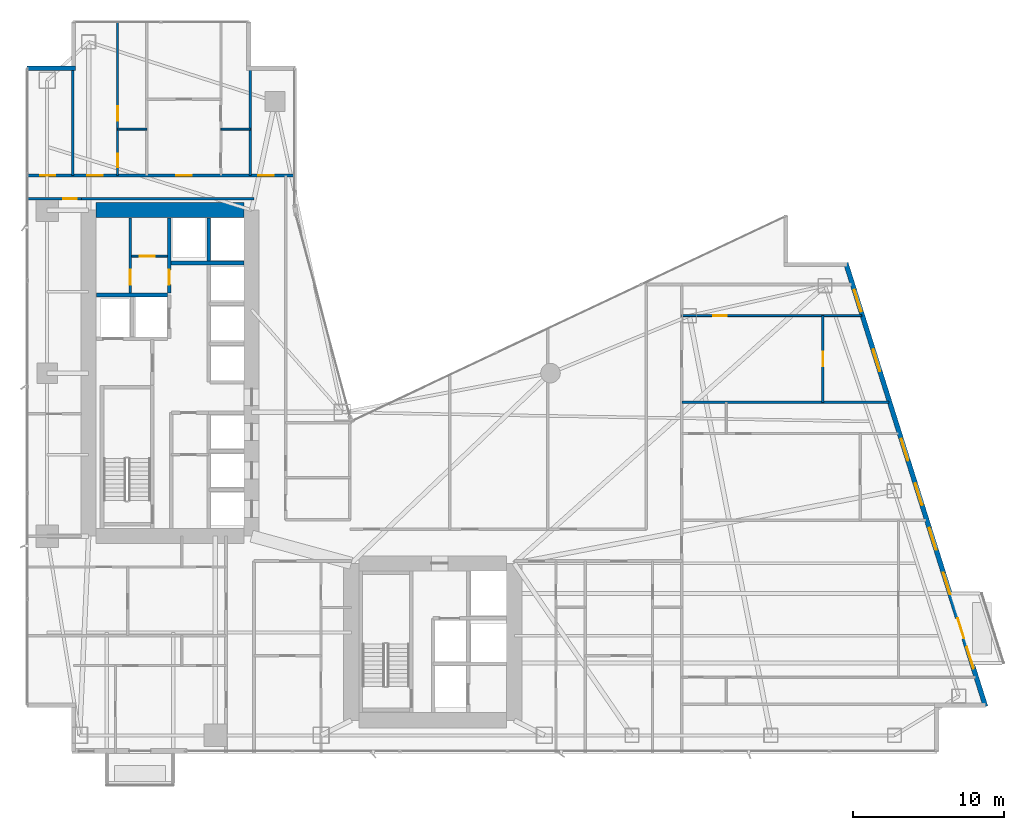
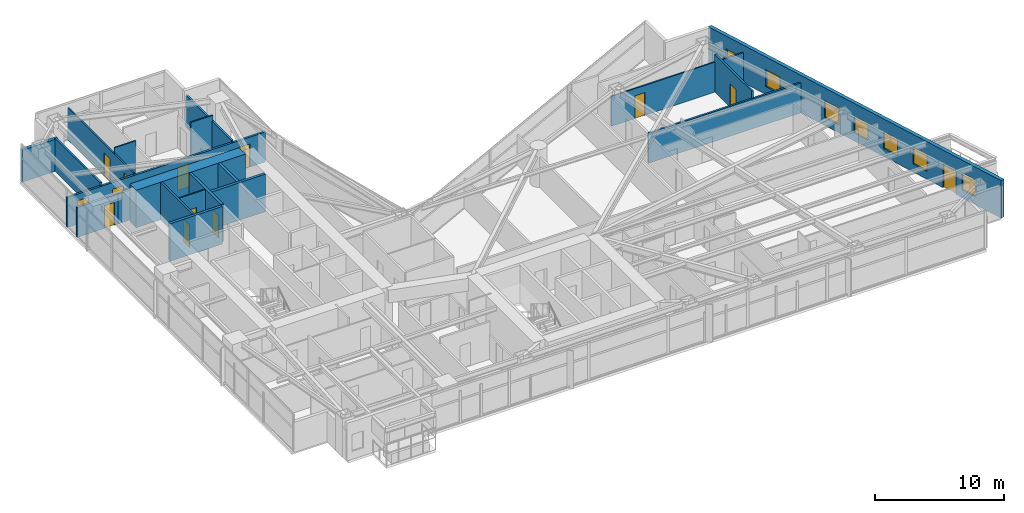
# One storey, part 25 of 30: 20 walls, 13 doors, 7 windows, 20 openings.
"""IFC4 building model written with IfcOpenShell, lengths in metres."""

from ifc_helpers import new_model, si_unit, direction, frame, frame_2d, origin, place, context, subcontext, project, spatial, rectangle, extrude, material, layer, layer_set, type_object, element, fill, save


model = new_model("IFC4")

# Units and contexts
model_context = context("Model", 3, precision=1e-05, world=origin(), true_north=direction((0.0, 1.0)))
body_context = subcontext(model_context, "Body", "Model", "MODEL_VIEW")
ifc_project = project(units=[si_unit("LENGTHUNIT", "METRE"), si_unit("AREAUNIT", "SQUARE_METRE"), si_unit("VOLUMEUNIT", "CUBIC_METRE"), si_unit("PLANEANGLEUNIT", "RADIAN"), si_unit("MASSUNIT", "GRAM", prefix="KILO")], contexts=[model_context])

# Site, building, storey
site_placement = place(None, origin())
site = spatial("IfcSite", under=ifc_project, at=site_placement, CompositionType="ELEMENT")
building_placement = place(site_placement, origin())
building = spatial("IfcBuilding", under=site, at=building_placement, Name="Calvorn Quay Hotel", CompositionType="ELEMENT")
storey_placement = place(building_placement, frame((0.0, 0.0, 73.60009765625)))
storey = spatial("IfcBuildingStorey", under=building, at=storey_placement, Name="L17", CompositionType="ELEMENT", Elevation=73.60009765625)

# Wall
ifc_material_1 = material(Name="Concrete C60", Category="concrete")
ifc_layer_1 = layer(ifc_material_1, 1.0)
ifc_layer_set_1 = layer_set([ifc_layer_1], Name="WL-CORE-1000")
wall_type_1 = type_object("IfcWallType", Name="WL-CORE-1000", PredefinedType="SHEAR", material=ifc_layer_set_1)
wall_1_placement = place(storey_placement, frame((4.699951171875, 38.39990234375, 0.0), z_axis=(0.0, 0.0, 1.0), x_axis=(1.0, 0.0, 0.0)))
element("IfcWall", 1, at=wall_1_placement, inside=storey, type_object=wall_type_1, Name="West Core Shear Wall N (L17)", PredefinedType="SHEAR", context=body_context, shape_type="SweptSolid", body=[
    extrude(rectangle(XDim=9.800048828125, YDim=1.0, at=frame_2d((4.89990234375, 0.0))), origin(), (0.0, 0.0, 1.0), 3.559814453125),
])

# Wall, opening, door
ifc_material_2 = material(Name="Acoustic Fireboard Steel-Stud Partition", Category="steel")
ifc_layer_2 = layer(ifc_material_2, 0.179931640625)
ifc_layer_set_2 = layer_set([ifc_layer_2], Name="WL-CORR-FIRE-180")
wall_type_2 = type_object("IfcWallType", Name="WL-CORR-FIRE-180", PredefinedType="PARTITIONING", material=ifc_layer_set_2)
wall_2_placement = place(storey_placement, frame((0.080078125, 39.14990234375, 0.0), z_axis=(0.0, 0.0, 1.0), x_axis=(1.0, 0.0, 0.0)))
wall_2 = element("IfcWall", 2, at=wall_2_placement, inside=storey, type_object=wall_type_2, Name="Partition Wall L17-WL-WBAY-N-DOOR", PredefinedType="PARTITIONING", context=body_context, shape_type="SweptSolid", body=[
    extrude(rectangle(XDim=3.64990234375, YDim=0.179931640625, at=frame_2d((1.824951171875, 0.0))), origin(), (0.0, 0.0, 1.0), 2.83984375),
])
opening_1_placement = place(wall_2_placement, frame((2.429931640625, 0.0, 0.0)))
opening_1 = element("IfcOpeningElement", 3, at=opening_1_placement, cuts=wall_2, Name="Opening D-L17-WBN", PredefinedType="OPENING", context=body_context, shape_type="SweptSolid", body=[
    extrude(rectangle(XDim=0.89990234375, YDim=2.14990234375, at=frame_2d((0.449951171875, 1.074951171875))), frame((0.0, 0.099853515625, 0.0), z_axis=(0.0, -1.0, 0.0), x_axis=(1.0, 0.0, 0.0)), (0.0, 0.0, 1.0), 0.199951171875),
])
ifc_material_3 = material(Name="Moisture-Sealed Timber En-Suite Door", Category="wood")
door_type_1 = type_object("IfcDoorType", Name="DR-ENSUITE-900", OperationType="NOTDEFINED", PredefinedType="DOOR", material=ifc_material_3)
door_1_placement = place(opening_1_placement, origin())
door_1 = element("IfcDoor", 4, at=door_1_placement, inside=storey, type_object=door_type_1, Name="West North Bay Door (L17)", OperationType="SINGLE_SWING_LEFT", OverallHeight=2.14990234375, OverallWidth=0.89990234375, PredefinedType="DOOR", context=body_context, shape_type="SweptSolid", body=[
    extrude(rectangle(XDim=0.89990234375, YDim=2.14990234375, at=frame_2d((0.449951171875, 1.074951171875))), frame((0.0, 0.02490234375, 0.0), z_axis=(0.0, -1.0, 0.0), x_axis=(1.0, 0.0, 0.0)), (0.0, 0.0, 1.0), 0.050048828125),
])
fill(opening_1, door_1)

# Wall, openings, doors
wall_3_placement = place(storey_placement, frame((0.080078125, 40.699951171875, 0.0), z_axis=(0.0, 0.0, 1.0), x_axis=(1.0, 0.0, 0.0)))
wall_3 = element("IfcWall", 5, at=wall_3_placement, inside=storey, type_object=wall_type_2, Name="Partition Wall L17-WL-CORR-NW-N", PredefinedType="PARTITIONING", context=body_context, shape_type="SweptSolid", body=[
    extrude(rectangle(XDim=17.77001953125, YDim=0.179931640625, at=frame_2d((8.885009765625, 0.0))), origin(), (0.0, 0.0, 1.0), 2.83984375),
])
opening_2_placement = place(wall_3_placement, frame((0.89990234375, 0.0, 0.0)))
opening_2 = element("IfcOpeningElement", 6, at=opening_2_placement, cuts=wall_3, Name="Opening D-L17-NWW", PredefinedType="OPENING", context=body_context, shape_type="SweptSolid", body=[
    extrude(rectangle(XDim=1.02001953125, YDim=2.199951171875, at=frame_2d((0.510009765625, 1.10009765625))), frame((0.0, 0.099853515625, 0.0), z_axis=(0.0, -1.0, 0.0), x_axis=(1.0, 0.0, 0.0)), (0.0, 0.0, 1.0), 0.199951171875),
])
opening_3_placement = place(wall_3_placement, frame((4.0400390625, 0.0, 0.0)))
opening_3 = element("IfcOpeningElement", 7, at=opening_3_placement, cuts=wall_3, Name="Opening D-L17-U04", PredefinedType="OPENING", context=body_context, shape_type="SweptSolid", body=[
    extrude(rectangle(XDim=1.02001953125, YDim=2.199951171875, at=frame_2d((0.510009765625, 1.10009765625))), frame((0.0, 0.099853515625, 0.0), z_axis=(0.0, -1.0, 0.0), x_axis=(1.0, 0.0, 0.0)), (0.0, 0.0, 1.0), 0.199951171875),
])
opening_4_placement = place(wall_3_placement, frame((9.919921875, 0.0, 0.0)))
opening_4 = element("IfcOpeningElement", 8, at=opening_4_placement, cuts=wall_3, Name="Opening D-L17-U05", PredefinedType="OPENING", context=body_context, shape_type="SweptSolid", body=[
    extrude(rectangle(XDim=1.02001953125, YDim=2.199951171875, at=frame_2d((0.510009765625, 1.10009765625))), frame((0.0, 0.099853515625, 0.0), z_axis=(0.0, -1.0, 0.0), x_axis=(1.0, 0.0, 0.0)), (0.0, 0.0, 1.0), 0.199951171875),
])
opening_5_placement = place(wall_3_placement, frame((15.3701171875, 0.0, 0.0)))
opening_5 = element("IfcOpeningElement", 9, at=opening_5_placement, cuts=wall_3, Name="Opening D-L17-NWE", PredefinedType="OPENING", context=body_context, shape_type="SweptSolid", body=[
    extrude(rectangle(XDim=1.02001953125, YDim=2.199951171875, at=frame_2d((0.510009765625, 1.10009765625))), frame((0.0, 0.099853515625, 0.0), z_axis=(0.0, -1.0, 0.0), x_axis=(1.0, 0.0, 0.0)), (0.0, 0.0, 1.0), 0.199951171875),
])
ifc_material_4 = material(Name="Solid-Core Walnut Veneer Hotel Fire Door")
door_type_2 = type_object("IfcDoorType", Name="DR-GUEST-ENTRY-1020", OperationType="NOTDEFINED", PredefinedType="DOOR", material=ifc_material_4)
door_2_placement = place(opening_2_placement, origin())
door_2 = element("IfcDoor", 10, at=door_2_placement, inside=storey, type_object=door_type_2, Name="West Corner Study Door (L17)", OperationType="SINGLE_SWING_LEFT", OverallHeight=2.199951171875, OverallWidth=1.02001953125, PredefinedType="DOOR", context=body_context, shape_type="SweptSolid", body=[
    extrude(rectangle(XDim=1.02001953125, YDim=2.199951171875, at=frame_2d((0.510009765625, 1.10009765625))), frame((0.0, 0.02490234375, 0.0), z_axis=(0.0, -1.0, 0.0), x_axis=(1.0, 0.0, 0.0)), (0.0, 0.0, 1.0), 0.050048828125),
])
fill(opening_2, door_2)
door_3_placement = place(opening_3_placement, origin())
door_3 = element("IfcDoor", 11, at=door_3_placement, inside=storey, type_object=door_type_2, Name="North-West Unit Door U04 (L17)", OperationType="SINGLE_SWING_RIGHT", OverallHeight=2.199951171875, OverallWidth=1.02001953125, PredefinedType="DOOR", context=body_context, shape_type="SweptSolid", body=[
    extrude(rectangle(XDim=1.02001953125, YDim=2.199951171875, at=frame_2d((0.510009765625, 1.10009765625))), frame((0.0, 0.02490234375, 0.0), z_axis=(0.0, -1.0, 0.0), x_axis=(1.0, 0.0, 0.0)), (0.0, 0.0, 1.0), 0.050048828125),
])
fill(opening_3, door_3)
door_4_placement = place(opening_4_placement, origin())
door_4 = element("IfcDoor", 12, at=door_4_placement, inside=storey, type_object=door_type_2, Name="North-West Unit Door U05 (L17)", OperationType="SINGLE_SWING_LEFT", OverallHeight=2.199951171875, OverallWidth=1.02001953125, PredefinedType="DOOR", context=body_context, shape_type="SweptSolid", body=[
    extrude(rectangle(XDim=1.02001953125, YDim=2.199951171875, at=frame_2d((0.510009765625, 1.10009765625))), frame((0.0, 0.02490234375, 0.0), z_axis=(0.0, -1.0, 0.0), x_axis=(1.0, 0.0, 0.0)), (0.0, 0.0, 1.0), 0.050048828125),
])
fill(opening_4, door_4)
door_5_placement = place(opening_5_placement, origin())
door_5 = element("IfcDoor", 13, at=door_5_placement, inside=storey, type_object=door_type_2, Name="Inner Court Study Door (L17)", OperationType="SINGLE_SWING_RIGHT", OverallHeight=2.199951171875, OverallWidth=1.02001953125, PredefinedType="DOOR", context=body_context, shape_type="SweptSolid", body=[
    extrude(rectangle(XDim=1.02001953125, YDim=2.199951171875, at=frame_2d((0.510009765625, 1.10009765625))), frame((0.0, 0.02490234375, 0.0), z_axis=(0.0, -1.0, 0.0), x_axis=(1.0, 0.0, 0.0)), (0.0, 0.0, 1.0), 0.050048828125),
])
fill(opening_5, door_5)

# Wall
wall_4_placement = place(storey_placement, frame((3.679931640625, 39.14990234375, 0.0), z_axis=(0.0, 0.0, 1.0), x_axis=(1.0, 0.0, 0.0)))
element("IfcWall", 14, at=wall_4_placement, inside=storey, type_object=wall_type_2, Name="Partition Wall L17-WL-W-SPUR-S", PredefinedType="PARTITIONING", context=body_context, shape_type="SweptSolid", body=[
    extrude(rectangle(XDim=11.469970703125, YDim=0.179931640625, at=frame_2d((5.73486328125, 0.0))), origin(), (0.0, 0.0, 1.0), 2.83984375),
])

# Wall, opening, door
ifc_material_5 = material(Name="Moisture-Resistant Tile-Backed Partition")
ifc_layer_3 = layer(ifc_material_5, 0.125)
ifc_layer_set_3 = layer_set([ifc_layer_3], Name="WL-ENSUITE-125")
wall_type_3 = type_object("IfcWallType", Name="WL-ENSUITE-125", PredefinedType="PARTITIONING", material=ifc_layer_set_3)
wall_5_placement = place(storey_placement, frame((7.050048828125, 35.35009765625, 0.0), z_axis=(0.0, 0.0, 1.0), x_axis=(1.0, 0.0, 0.0)))
wall_5 = element("IfcWall", 15, at=wall_5_placement, inside=storey, type_object=wall_type_3, Name="Partition Wall L17-WL-CWW-K-H", PredefinedType="PARTITIONING", context=body_context, shape_type="SweptSolid", body=[
    extrude(rectangle(XDim=2.369873046875, YDim=0.125, at=frame_2d((1.18505859375, 0.0))), origin(), (0.0, 0.0, 1.0), 3.559814453125),
])
opening_6_placement = place(wall_5_placement, frame((0.550048828125, 0.0, 0.0)))
opening_6 = element("IfcOpeningElement", 16, at=opening_6_placement, cuts=wall_5, Name="Opening D-L17-CK3", PredefinedType="OPENING", context=body_context, shape_type="SweptSolid", body=[
    extrude(rectangle(XDim=0.97998046875, YDim=2.14990234375, at=frame_2d((0.489990234375, 1.074951171875))), frame((0.0, 0.072509765625, 0.0), z_axis=(0.0, -1.0, 0.0), x_axis=(1.0, 0.0, 0.0)), (0.0, 0.0, 1.0), 0.14501953125),
])
ifc_material_6 = material(Name="Painted Steel Housekeeping/Riser Fire Door", Category="steel")
door_type_3 = type_object("IfcDoorType", Name="DR-SERVICE-980", OperationType="NOTDEFINED", PredefinedType="DOOR", material=ifc_material_6)
door_6_placement = place(opening_6_placement, origin())
door_6 = element("IfcDoor", 17, at=door_6_placement, inside=storey, type_object=door_type_3, Name="Telecom Closet Door (L17)", OperationType="SINGLE_SWING_RIGHT", OverallHeight=2.14990234375, OverallWidth=0.97998046875, PredefinedType="DOOR", context=body_context, shape_type="SweptSolid", body=[
    extrude(rectangle(XDim=0.97998046875, YDim=2.14990234375, at=frame_2d((0.489990234375, 1.074951171875))), frame((0.0, 0.02490234375, 0.0), z_axis=(0.0, -1.0, 0.0), x_axis=(1.0, 0.0, 0.0)), (0.0, 0.0, 1.0), 0.050048828125),
])
fill(opening_6, door_6)

# Wall
wall_6_placement = place(storey_placement, frame((6.1201171875, 43.77001953125, 0.0), z_axis=(0.0, 0.0, 1.0), x_axis=(1.0, 0.0, 0.0)))
element("IfcWall", 18, at=wall_6_placement, inside=storey, type_object=wall_type_3, Name="Partition Wall L17-WL-U04-BDV", PredefinedType="PARTITIONING", context=body_context, shape_type="SweptSolid", body=[
    extrude(rectangle(XDim=1.929931640625, YDim=0.125, at=frame_2d((0.96484375, 0.0))), origin(), (0.0, 0.0, 1.0), 3.559814453125),
])

# Wall, openings, doors
wall_7_placement = place(storey_placement, frame((6.1201171875, 40.699951171875, 0.0), z_axis=(0.0, 0.0, 1.0), x_axis=(0.0, 1.0, 0.0)))
wall_7 = element("IfcWall", 19, at=wall_7_placement, inside=storey, type_object=wall_type_3, Name="Partition Wall L17-WL-U04-BV", PredefinedType="PARTITIONING", context=body_context, shape_type="SweptSolid", body=[
    extrude(rectangle(XDim=10.239990234375, YDim=0.125, at=frame_2d((5.1201171875, 0.0))), origin(), (0.0, 0.0, 1.0), 3.039794921875),
])
opening_7_placement = place(wall_7_placement, frame((0.550048828125, 0.0, 0.0)))
opening_7 = element("IfcOpeningElement", 20, at=opening_7_placement, cuts=wall_7, Name="Opening D-L17-E04", PredefinedType="OPENING", context=body_context, shape_type="SweptSolid", body=[
    extrude(rectangle(XDim=0.89990234375, YDim=2.14990234375, at=frame_2d((0.449951171875, 1.074951171875))), frame((0.0, 0.072509765625, 0.0), z_axis=(0.0, -1.0, 0.0), x_axis=(1.0, 0.0, 0.0)), (0.0, 0.0, 1.0), 0.14501953125),
])
opening_8_placement = place(wall_7_placement, frame((3.6201171875, 0.0, 0.0)))
opening_8 = element("IfcOpeningElement", 21, at=opening_8_placement, cuts=wall_7, Name="Opening D-L17-S04", PredefinedType="OPENING", context=body_context, shape_type="SweptSolid", body=[
    extrude(rectangle(XDim=0.9599609375, YDim=2.199951171875, at=frame_2d((0.47998046875, 1.10009765625))), frame((0.0, 0.072509765625, 0.0), z_axis=(0.0, -1.0, 0.0), x_axis=(1.0, 0.0, 0.0)), (0.0, 0.0, 1.0), 0.14501953125),
])
door_7_placement = place(opening_7_placement, origin())
door_7 = element("IfcDoor", 22, at=door_7_placement, inside=storey, type_object=door_type_1, Name="En-Suite Door 04", OperationType="SINGLE_SWING_LEFT", OverallHeight=2.14990234375, OverallWidth=0.89990234375, PredefinedType="DOOR", context=body_context, shape_type="SweptSolid", body=[
    extrude(rectangle(XDim=0.89990234375, YDim=2.14990234375, at=frame_2d((0.449951171875, 1.074951171875))), frame((0.0, 0.02490234375, 0.0), z_axis=(0.0, -1.0, 0.0), x_axis=(1.0, 0.0, 0.0)), (0.0, 0.0, 1.0), 0.050048828125),
])
fill(opening_7, door_7)
ifc_material_7 = material(Name="Solid Timber Internal Suite Door", Category="wood")
door_type_4 = type_object("IfcDoorType", Name="DR-SUITE-INT-960", OperationType="NOTDEFINED", PredefinedType="DOOR", material=ifc_material_7)
door_8_placement = place(opening_8_placement, origin())
door_8 = element("IfcDoor", 23, at=door_8_placement, inside=storey, type_object=door_type_4, Name="Botanical Winter Garden Door 04", OperationType="SINGLE_SWING_RIGHT", OverallHeight=2.199951171875, OverallWidth=0.9599609375, PredefinedType="DOOR", context=body_context, shape_type="SweptSolid", body=[
    extrude(rectangle(XDim=0.9599609375, YDim=2.199951171875, at=frame_2d((0.47998046875, 1.10009765625))), frame((0.0, 0.02490234375, 0.0), z_axis=(0.0, -1.0, 0.0), x_axis=(1.0, 0.0, 0.0)), (0.0, 0.0, 1.0), 0.050048828125),
])
fill(opening_8, door_8)

# Wall
wall_8_placement = place(storey_placement, frame((12.9599609375, 43.77001953125, 0.0), z_axis=(0.0, 0.0, 1.0), x_axis=(1.0, 0.0, 0.0)))
element("IfcWall", 24, at=wall_8_placement, inside=storey, type_object=wall_type_3, Name="Partition Wall L17-WL-U05-BDV", PredefinedType="PARTITIONING", context=body_context, shape_type="SweptSolid", body=[
    extrude(rectangle(XDim=1.9599609375, YDim=0.125, at=frame_2d((0.97998046875, 0.0))), origin(), (0.0, 0.0, 1.0), 3.559814453125),
])

# Wall, opening, door
wall_9_placement = place(storey_placement, frame((43.5, 31.409912109375, 0.0), z_axis=(0.0, 0.0, 1.0), x_axis=(1.0, 0.0, 0.0)))
wall_9 = element("IfcWall", 25, at=wall_9_placement, inside=storey, type_object=wall_type_3, Name="Partition Wall L17-WL-U10-BH", PredefinedType="PARTITIONING", context=body_context, shape_type="SweptSolid", body=[
    extrude(rectangle(XDim=11.909912109375, YDim=0.125, at=frame_2d((5.955078125, 0.0))), origin(), (0.0, 0.0, 1.0), 2.83984375),
])
opening_9_placement = place(wall_9_placement, frame((2.090087890625, 0.0, 0.0)))
opening_9 = element("IfcOpeningElement", 26, at=opening_9_placement, cuts=wall_9, Name="Opening D-L17-E10", PredefinedType="OPENING", context=body_context, shape_type="SweptSolid", body=[
    extrude(rectangle(XDim=0.89990234375, YDim=2.14990234375, at=frame_2d((0.449951171875, 1.074951171875))), frame((0.0, 0.072509765625, 0.0), z_axis=(0.0, -1.0, 0.0), x_axis=(1.0, 0.0, 0.0)), (0.0, 0.0, 1.0), 0.14501953125),
])
door_9_placement = place(opening_9_placement, origin())
door_9 = element("IfcDoor", 27, at=door_9_placement, inside=storey, type_object=door_type_1, Name="En-Suite Door 10", OperationType="SINGLE_SWING_LEFT", OverallHeight=2.14990234375, OverallWidth=0.89990234375, PredefinedType="DOOR", context=body_context, shape_type="SweptSolid", body=[
    extrude(rectangle(XDim=0.89990234375, YDim=2.14990234375, at=frame_2d((0.449951171875, 1.074951171875))), frame((0.0, 0.02490234375, 0.0), z_axis=(0.0, -1.0, 0.0), x_axis=(1.0, 0.0, 0.0)), (0.0, 0.0, 1.0), 0.050048828125),
])
fill(opening_9, door_9)

# Wall
ifc_material_8 = material(Name="Concrete C40", Category="concrete")
ifc_layer_4 = layer(ifc_material_8, 0.320068359375)
ifc_layer_set_4 = layer_set([ifc_layer_4], Name="WL-EXT-SPANDREL-320")
wall_type_4 = type_object("IfcWallType", Name="WL-EXT-SPANDREL-320", PredefinedType="SOLIDWALL", material=ifc_layer_set_4)
wall_10_placement = place(storey_placement, frame((3.340087890625, 47.800048828125, 0.0), z_axis=(0.0, 0.0, 1.0), x_axis=(-1.0, 0.0, 0.0)))
element("IfcWall", 28, at=wall_10_placement, inside=storey, type_object=wall_type_4, Name="Notched Corner Spandrel L17-NW2", PredefinedType="SOLIDWALL", context=body_context, shape_type="SweptSolid", body=[
    extrude(rectangle(XDim=3.219970703125, YDim=0.280029296875, at=frame_2d((1.60986328125, 0.0))), origin(), (0.0, 0.0, 1.0), 3.039794921875),
])

# Wall, openings, door, windows
wall_11_placement = place(storey_placement, frame((63.6298828125, 5.5048828125, 0.0), z_axis=(0.0, 0.0, 1.0), x_axis=(-0.300501856448, 0.953781229775, 0.0)))
wall_11 = element("IfcWall", 29, at=wall_11_placement, inside=storey, type_object=wall_type_4, Name="East Stepped Waterfront Exterior Wall (L17)", PredefinedType="SOLIDWALL", context=body_context, shape_type="SweptSolid", body=[
    extrude(rectangle(XDim=30.814453125, YDim=0.320068359375, at=frame_2d((15.4072265625, 0.0))), origin(), (0.0, 0.0, 1.0), 3.559814453125),
])
opening_10_placement = place(wall_11_placement, frame((4.7470703125, 0.0, 0.0)))
opening_10 = element("IfcOpeningElement", 30, at=opening_10_placement, cuts=wall_11, Name="Opening DB-L17-1", PredefinedType="OPENING", context=body_context, shape_type="SweptSolid", body=[
    extrude(rectangle(XDim=1.39990234375, YDim=2.25, at=frame_2d((0.699951171875, 1.125))), frame((0.0, 0.169921875, 0.0), z_axis=(0.0, -1.0, 0.0), x_axis=(1.0, 0.0, 0.0)), (0.0, 0.0, 1.0), 0.340087890625),
])
opening_11_placement = place(wall_11_placement, frame((2.64990234375, 0.0, 0.75)))
opening_11 = element("IfcOpeningElement", 31, at=opening_11_placement, cuts=wall_11, Name="Opening WG-L17-E1", PredefinedType="OPENING", context=body_context, shape_type="SweptSolid", body=[
    extrude(rectangle(XDim=1.5, YDim=1.60009765625, at=frame_2d((0.75, 0.800048828125))), frame((0.0, 0.169921875, 0.0), z_axis=(0.0, -1.0, 0.0), x_axis=(1.0, 0.0, 0.0)), (0.0, 0.0, 1.0), 0.340087890625),
])
opening_12_placement = place(wall_11_placement, frame((7.800048828125, 0.0, 0.75)))
opening_12 = element("IfcOpeningElement", 32, at=opening_12_placement, cuts=wall_11, Name="Opening WG-L17-E2", PredefinedType="OPENING", context=body_context, shape_type="SweptSolid", body=[
    extrude(rectangle(XDim=1.5, YDim=1.60009765625, at=frame_2d((0.75, 0.800048828125))), frame((0.0, 0.169921875, 0.0), z_axis=(0.0, -1.0, 0.0), x_axis=(1.0, 0.0, 0.0)), (0.0, 0.0, 1.0), 0.340087890625),
])
opening_13_placement = place(wall_11_placement, frame((10.89990234375, 0.0, 0.75)))
opening_13 = element("IfcOpeningElement", 33, at=opening_13_placement, cuts=wall_11, Name="Opening WG-L17-E3", PredefinedType="OPENING", context=body_context, shape_type="SweptSolid", body=[
    extrude(rectangle(XDim=1.5, YDim=1.60009765625, at=frame_2d((0.75, 0.800048828125))), frame((0.0, 0.169921875, 0.0), z_axis=(0.0, -1.0, 0.0), x_axis=(1.0, 0.0, 0.0)), (0.0, 0.0, 1.0), 0.340087890625),
])
opening_14_placement = place(wall_11_placement, frame((14.0, 0.0, 0.75)))
opening_14 = element("IfcOpeningElement", 34, at=opening_14_placement, cuts=wall_11, Name="Opening WG-L17-E4", PredefinedType="OPENING", context=body_context, shape_type="SweptSolid", body=[
    extrude(rectangle(XDim=1.5, YDim=1.60009765625, at=frame_2d((0.75, 0.800048828125))), frame((0.0, 0.169921875, 0.0), z_axis=(0.0, -1.0, 0.0), x_axis=(1.0, 0.0, 0.0)), (0.0, 0.0, 1.0), 0.340087890625),
])
opening_15_placement = place(wall_11_placement, frame((17.10009765625, 0.0, 0.75)))
opening_15 = element("IfcOpeningElement", 35, at=opening_15_placement, cuts=wall_11, Name="Opening WG-L17-E5", PredefinedType="OPENING", context=body_context, shape_type="SweptSolid", body=[
    extrude(rectangle(XDim=1.5, YDim=1.60009765625, at=frame_2d((0.75, 0.800048828125))), frame((0.0, 0.169921875, 0.0), z_axis=(0.0, -1.0, 0.0), x_axis=(1.0, 0.0, 0.0)), (0.0, 0.0, 1.0), 0.340087890625),
])
opening_16_placement = place(wall_11_placement, frame((23.300048828125, 0.0, 0.75)))
opening_16 = element("IfcOpeningElement", 36, at=opening_16_placement, cuts=wall_11, Name="Opening WG-L17-E6", PredefinedType="OPENING", context=body_context, shape_type="SweptSolid", body=[
    extrude(rectangle(XDim=1.5, YDim=1.60009765625, at=frame_2d((0.75, 0.800048828125))), frame((0.0, 0.169921875, 0.0), z_axis=(0.0, -1.0, 0.0), x_axis=(1.0, 0.0, 0.0)), (0.0, 0.0, 1.0), 0.340087890625),
])
opening_17_placement = place(wall_11_placement, frame((27.449951171875, 0.0, 0.75)))
opening_17 = element("IfcOpeningElement", 37, at=opening_17_placement, cuts=wall_11, Name="Opening WG-L17-E7", PredefinedType="OPENING", context=body_context, shape_type="SweptSolid", body=[
    extrude(rectangle(XDim=1.5, YDim=1.60009765625, at=frame_2d((0.75, 0.800048828125))), frame((0.0, 0.169921875, 0.0), z_axis=(0.0, -1.0, 0.0), x_axis=(1.0, 0.0, 0.0)), (0.0, 0.0, 1.0), 0.340087890625),
])
ifc_material_9 = material(Name="Typhoon-Rated Low-E Aluminium Terrace Door", Category="aluminium")
door_type_5 = type_object("IfcDoorType", Name="DR-BALCONY-GLZ-1400", OperationType="NOTDEFINED", PredefinedType="DOOR", material=ifc_material_9)
door_10_placement = place(opening_10_placement, origin())
door_10 = element("IfcDoor", 38, at=door_10_placement, inside=storey, type_object=door_type_5, Name="Tree Balcony Terrace Door L17-BALC-E", OperationType="SINGLE_SWING_LEFT", OverallHeight=2.25, OverallWidth=1.39990234375, PredefinedType="DOOR", context=body_context, shape_type="SweptSolid", body=[
    extrude(rectangle(XDim=1.39990234375, YDim=2.25, at=frame_2d((0.699951171875, 1.125))), frame((0.0, 0.02490234375, 0.0), z_axis=(0.0, -1.0, 0.0), x_axis=(1.0, 0.0, 0.0)), (0.0, 0.0, 1.0), 0.050048828125),
])
fill(opening_10, door_10)
ifc_material_10 = material(Name="Self-Closing Class B Fire Window")
window_type = type_object("IfcWindowType", Name="WIN-REFUGE-1500x1600", PartitioningType="SINGLE_PANEL", PredefinedType="WINDOW", material=ifc_material_10)
window_1_placement = place(opening_11_placement, origin())
window_1 = element("IfcWindow", 39, at=window_1_placement, inside=storey, type_object=window_type, Name="East Facade Window L17-E1", OverallHeight=1.60009765625, OverallWidth=1.5, PartitioningType="SINGLE_PANEL", PredefinedType="WINDOW", context=body_context, shape_type="SweptSolid", body=[
    extrude(rectangle(XDim=1.5, YDim=1.60009765625, at=frame_2d((0.75, 0.800048828125))), frame((0.0, 0.030029296875, 0.0), z_axis=(0.0, -1.0, 0.0), x_axis=(1.0, 0.0, 0.0)), (0.0, 0.0, 1.0), 0.06005859375),
])
fill(opening_11, window_1)
window_2_placement = place(opening_12_placement, origin())
window_2 = element("IfcWindow", 40, at=window_2_placement, inside=storey, type_object=window_type, Name="East Facade Window L17-E2", OverallHeight=1.60009765625, OverallWidth=1.5, PartitioningType="SINGLE_PANEL", PredefinedType="WINDOW", context=body_context, shape_type="SweptSolid", body=[
    extrude(rectangle(XDim=1.5, YDim=1.60009765625, at=frame_2d((0.75, 0.800048828125))), frame((0.0, 0.030029296875, 0.0), z_axis=(0.0, -1.0, 0.0), x_axis=(1.0, 0.0, 0.0)), (0.0, 0.0, 1.0), 0.06005859375),
])
fill(opening_12, window_2)
window_3_placement = place(opening_13_placement, origin())
window_3 = element("IfcWindow", 41, at=window_3_placement, inside=storey, type_object=window_type, Name="East Facade Window L17-E3", OverallHeight=1.60009765625, OverallWidth=1.5, PartitioningType="SINGLE_PANEL", PredefinedType="WINDOW", context=body_context, shape_type="SweptSolid", body=[
    extrude(rectangle(XDim=1.5, YDim=1.60009765625, at=frame_2d((0.75, 0.800048828125))), frame((0.0, 0.030029296875, 0.0), z_axis=(0.0, -1.0, 0.0), x_axis=(1.0, 0.0, 0.0)), (0.0, 0.0, 1.0), 0.06005859375),
])
fill(opening_13, window_3)
window_4_placement = place(opening_14_placement, origin())
window_4 = element("IfcWindow", 42, at=window_4_placement, inside=storey, type_object=window_type, Name="East Facade Window L17-E4", OverallHeight=1.60009765625, OverallWidth=1.5, PartitioningType="SINGLE_PANEL", PredefinedType="WINDOW", context=body_context, shape_type="SweptSolid", body=[
    extrude(rectangle(XDim=1.5, YDim=1.60009765625, at=frame_2d((0.75, 0.800048828125))), frame((0.0, 0.030029296875, 0.0), z_axis=(0.0, -1.0, 0.0), x_axis=(1.0, 0.0, 0.0)), (0.0, 0.0, 1.0), 0.06005859375),
])
fill(opening_14, window_4)
window_5_placement = place(opening_15_placement, origin())
window_5 = element("IfcWindow", 43, at=window_5_placement, inside=storey, type_object=window_type, Name="East Facade Window L17-E5", OverallHeight=1.60009765625, OverallWidth=1.5, PartitioningType="SINGLE_PANEL", PredefinedType="WINDOW", context=body_context, shape_type="SweptSolid", body=[
    extrude(rectangle(XDim=1.5, YDim=1.60009765625, at=frame_2d((0.75, 0.800048828125))), frame((0.0, 0.030029296875, 0.0), z_axis=(0.0, -1.0, 0.0), x_axis=(1.0, 0.0, 0.0)), (0.0, 0.0, 1.0), 0.06005859375),
])
fill(opening_15, window_5)
window_6_placement = place(opening_16_placement, origin())
window_6 = element("IfcWindow", 44, at=window_6_placement, inside=storey, type_object=window_type, Name="East Facade Window L17-E6", OverallHeight=1.60009765625, OverallWidth=1.5, PartitioningType="SINGLE_PANEL", PredefinedType="WINDOW", context=body_context, shape_type="SweptSolid", body=[
    extrude(rectangle(XDim=1.5, YDim=1.60009765625, at=frame_2d((0.75, 0.800048828125))), frame((0.0, 0.030029296875, 0.0), z_axis=(0.0, -1.0, 0.0), x_axis=(1.0, 0.0, 0.0)), (0.0, 0.0, 1.0), 0.06005859375),
])
fill(opening_16, window_6)
window_7_placement = place(opening_17_placement, origin())
window_7 = element("IfcWindow", 45, at=window_7_placement, inside=storey, type_object=window_type, Name="East Facade Window L17-E7", OverallHeight=1.60009765625, OverallWidth=1.5, PartitioningType="SINGLE_PANEL", PredefinedType="WINDOW", context=body_context, shape_type="SweptSolid", body=[
    extrude(rectangle(XDim=1.5, YDim=1.60009765625, at=frame_2d((0.75, 0.800048828125))), frame((0.0, 0.030029296875, 0.0), z_axis=(0.0, -1.0, 0.0), x_axis=(1.0, 0.0, 0.0)), (0.0, 0.0, 1.0), 0.06005859375),
])
fill(opening_17, window_7)

# Wall, opening, door
ifc_material_11 = material(Name="Double-Stud Acoustic Gypsum Partition")
ifc_layer_5 = layer(ifc_material_11, 0.159912109375)
ifc_layer_set_5 = layer_set([ifc_layer_5], Name="WL-INTERSUITE-160")
wall_type_5 = type_object("IfcWallType", Name="WL-INTERSUITE-160", PredefinedType="PARTITIONING", material=ifc_layer_set_5)
wall_12_placement = place(storey_placement, frame((6.949951171875, 32.919921875, 0.0), z_axis=(0.0, 0.0, 1.0), x_axis=(0.0, 1.0, 0.0)))
wall_12 = element("IfcWall", 46, at=wall_12_placement, inside=storey, type_object=wall_type_5, Name="Partition Wall L17-WL-CWW-K-V", PredefinedType="PARTITIONING", context=body_context, shape_type="SweptSolid", body=[
    extrude(rectangle(XDim=4.9599609375, YDim=0.159912109375, at=frame_2d((2.47998046875, 0.0))), origin(), (0.0, 0.0, 1.0), 3.559814453125),
])
opening_18_placement = place(wall_12_placement, frame((0.550048828125, 0.0, 0.0)))
opening_18 = element("IfcOpeningElement", 47, at=opening_18_placement, cuts=wall_12, Name="Opening D-L17-CK1", PredefinedType="OPENING", context=body_context, shape_type="SweptSolid", body=[
    extrude(rectangle(XDim=0.97998046875, YDim=2.14990234375, at=frame_2d((0.489990234375, 1.074951171875))), frame((0.0, 0.08984375, 0.0), z_axis=(0.0, -1.0, 0.0), x_axis=(1.0, 0.0, 0.0)), (0.0, 0.0, 1.0), 0.179931640625),
])
door_11_placement = place(opening_18_placement, origin())
door_11 = element("IfcDoor", 48, at=door_11_placement, inside=storey, type_object=door_type_3, Name="Pipe Riser Door (L17)", OperationType="SINGLE_SWING_LEFT", OverallHeight=2.14990234375, OverallWidth=0.97998046875, PredefinedType="DOOR", context=body_context, shape_type="SweptSolid", body=[
    extrude(rectangle(XDim=0.97998046875, YDim=2.14990234375, at=frame_2d((0.489990234375, 1.074951171875))), frame((0.0, 0.02490234375, 0.0), z_axis=(0.0, -1.0, 0.0), x_axis=(1.0, 0.0, 0.0)), (0.0, 0.0, 1.0), 0.050048828125),
])
fill(opening_18, door_11)

# Walls
wall_13_placement = place(storey_placement, frame((3.14990234375, 40.699951171875, 0.0), z_axis=(0.0, 0.0, 1.0), x_axis=(0.0, 1.0, 0.0)))
element("IfcWall", 49, at=wall_13_placement, inside=storey, type_object=wall_type_5, Name="Partition Wall L17-WL-NW-DIV-W0", PredefinedType="PARTITIONING", context=body_context, shape_type="SweptSolid", body=[
    extrude(rectangle(XDim=7.10009765625, YDim=0.159912109375, at=frame_2d((3.550048828125, 0.0))), origin(), (0.0, 0.0, 1.0), 3.139892578125),
])
wall_14_placement = place(storey_placement, frame((14.919921875, 40.699951171875, 0.0), z_axis=(0.0, 0.0, 1.0), x_axis=(0.0, 1.0, 0.0)))
element("IfcWall", 50, at=wall_14_placement, inside=storey, type_object=wall_type_5, Name="Partition Wall L17-WL-NW-DIV-E0", PredefinedType="PARTITIONING", context=body_context, shape_type="SweptSolid", body=[
    extrude(rectangle(XDim=7.10009765625, YDim=0.159912109375, at=frame_2d((3.550048828125, 0.0))), origin(), (0.0, 0.0, 1.0), 3.039794921875),
])

# Wall, opening, door
wall_15_placement = place(storey_placement, frame((52.85009765625, 25.659912109375, 0.0), z_axis=(0.0, 0.0, 1.0), x_axis=(0.0, 1.0, 0.0)))
wall_15 = element("IfcWall", 51, at=wall_15_placement, inside=storey, type_object=wall_type_5, Name="Partition Wall L17-WL-U10-MSP", PredefinedType="PARTITIONING", context=body_context, shape_type="SweptSolid", body=[
    extrude(rectangle(XDim=5.75, YDim=0.159912109375, at=frame_2d((2.875, 0.0))), origin(), (0.0, 0.0, 1.0), 3.559814453125),
])
opening_19_placement = place(wall_15_placement, frame((2.39990234375, 0.0, 0.0)))
opening_19 = element("IfcOpeningElement", 52, at=opening_19_placement, cuts=wall_15, Name="Opening D-L17-M10", PredefinedType="OPENING", context=body_context, shape_type="SweptSolid", body=[
    extrude(rectangle(XDim=0.9599609375, YDim=2.199951171875, at=frame_2d((0.47998046875, 1.10009765625))), frame((0.0, 0.08984375, 0.0), z_axis=(0.0, -1.0, 0.0), x_axis=(1.0, 0.0, 0.0)), (0.0, 0.0, 1.0), 0.179931640625),
])
door_12_placement = place(opening_19_placement, origin())
door_12 = element("IfcDoor", 53, at=door_12_placement, inside=storey, type_object=door_type_4, Name="Suite Bedroom Door 10", OperationType="SINGLE_SWING_LEFT", OverallHeight=2.199951171875, OverallWidth=0.9599609375, PredefinedType="DOOR", context=body_context, shape_type="SweptSolid", body=[
    extrude(rectangle(XDim=0.9599609375, YDim=2.199951171875, at=frame_2d((0.47998046875, 1.10009765625))), frame((0.0, 0.02490234375, 0.0), z_axis=(0.0, -1.0, 0.0), x_axis=(1.0, 0.0, 0.0)), (0.0, 0.0, 1.0), 0.050048828125),
])
fill(opening_19, door_12)

# Wall
wall_16_placement = place(storey_placement, frame((43.5, 25.659912109375, 0.0), z_axis=(0.0, 0.0, 1.0), x_axis=(1.0, 0.0, 0.0)))
element("IfcWall", 54, at=wall_16_placement, inside=storey, type_object=wall_type_5, Name="Partition Wall L17-WL-TIP-DIV2", PredefinedType="PARTITIONING", context=body_context, shape_type="SweptSolid", body=[
    extrude(rectangle(XDim=13.719970703125, YDim=0.159912109375, at=frame_2d((6.85986328125, 0.0))), origin(), (0.0, 0.0, 1.0), 2.83984375),
])

# Wall, opening, door
ifc_material_12 = material(Name="Autoclaved Aerated Masonry Block", Category="masonry")
ifc_layer_6 = layer(ifc_material_12, 0.219970703125)
ifc_layer_set_6 = layer_set([ifc_layer_6], Name="WL-LOBBY-FIRE-220")
wall_type_6 = type_object("IfcWallType", Name="WL-LOBBY-FIRE-220", PredefinedType="SOLIDWALL", material=ifc_layer_set_6)
wall_17_placement = place(storey_placement, frame((9.5400390625, 32.919921875, 0.0), z_axis=(0.0, 0.0, 1.0), x_axis=(0.0, 1.0, 0.0)))
wall_17 = element("IfcWall", 55, at=wall_17_placement, inside=storey, type_object=wall_type_6, Name="Partition Wall L17-WL-CWW-K-E", PredefinedType="SOLIDWALL", context=body_context, shape_type="SweptSolid", body=[
    extrude(rectangle(XDim=4.9599609375, YDim=0.219970703125, at=frame_2d((2.47998046875, 0.0))), origin(), (0.0, 0.0, 1.0), 3.559814453125),
])
opening_20_placement = place(wall_17_placement, frame((0.550048828125, 0.0, 0.0)))
opening_20 = element("IfcOpeningElement", 56, at=opening_20_placement, cuts=wall_17, Name="Opening D-L17-CK2", PredefinedType="OPENING", context=body_context, shape_type="SweptSolid", body=[
    extrude(rectangle(XDim=0.97998046875, YDim=2.14990234375, at=frame_2d((0.489990234375, 1.074951171875))), frame((0.0, 0.119873046875, 0.0), z_axis=(0.0, -1.0, 0.0), x_axis=(1.0, 0.0, 0.0)), (0.0, 0.0, 1.0), 0.239990234375),
])
door_13_placement = place(opening_20_placement, origin())
door_13 = element("IfcDoor", 57, at=door_13_placement, inside=storey, type_object=door_type_3, Name="Valet Closet Door (L17)", OperationType="SINGLE_SWING_LEFT", OverallHeight=2.14990234375, OverallWidth=0.97998046875, PredefinedType="DOOR", context=body_context, shape_type="SweptSolid", body=[
    extrude(rectangle(XDim=0.97998046875, YDim=2.14990234375, at=frame_2d((0.489990234375, 1.074951171875))), frame((0.0, 0.02490234375, 0.0), z_axis=(0.0, -1.0, 0.0), x_axis=(1.0, 0.0, 0.0)), (0.0, 0.0, 1.0), 0.050048828125),
])
fill(opening_20, door_13)

# Walls
ifc_material_13 = material(Name="Concrete C40", Category="concrete")
ifc_layer_7 = layer(ifc_material_13, 0.239990234375)
ifc_layer_set_7 = layer_set([ifc_layer_7], Name="WL-SHAFT-240")
wall_type_7 = type_object("IfcWallType", Name="WL-SHAFT-240", PredefinedType="SOLIDWALL", material=ifc_layer_set_7)
wall_18_placement = place(storey_placement, frame((4.719970703125, 32.780029296875, 0.0), z_axis=(0.0, 0.0, 1.0), x_axis=(1.0, 0.0, 0.0)))
element("IfcWall", 58, at=wall_18_placement, inside=storey, type_object=wall_type_7, Name="Partition Wall L17-WL-CWW-SLW-N", PredefinedType="SOLIDWALL", context=body_context, shape_type="SweptSolid", body=[
    extrude(rectangle(XDim=4.699951171875, YDim=0.239990234375, at=frame_2d((2.35009765625, 0.0))), origin(), (0.0, 0.0, 1.0), 3.559814453125),
])
wall_19_placement = place(storey_placement, frame((9.659912109375, 34.89990234375, 0.0), z_axis=(0.0, 0.0, 1.0), x_axis=(1.0, 0.0, 0.0)))
element("IfcWall", 59, at=wall_19_placement, inside=storey, type_object=wall_type_7, Name="Partition Wall L17-WL-CWW-PLH-S", PredefinedType="SOLIDWALL", context=body_context, shape_type="SweptSolid", body=[
    extrude(rectangle(XDim=4.820068359375, YDim=0.239990234375, at=frame_2d((2.41015625, 0.0))), origin(), (0.0, 0.0, 1.0), 3.559814453125),
])
wall_20_placement = place(storey_placement, frame((12.14990234375, 35.02001953125, 0.0), z_axis=(0.0, 0.0, 1.0), x_axis=(0.0, 1.0, 0.0)))
element("IfcWall", 60, at=wall_20_placement, inside=storey, type_object=wall_type_7, Name="Partition Wall L17-WL-CWW-PLH-DIV", PredefinedType="SOLIDWALL", context=body_context, shape_type="SweptSolid", body=[
    extrude(rectangle(XDim=2.85986328125, YDim=0.239990234375, at=frame_2d((1.429931640625, 0.0))), origin(), (0.0, 0.0, 1.0), 3.559814453125),
])

save(model, "model.ifc")
